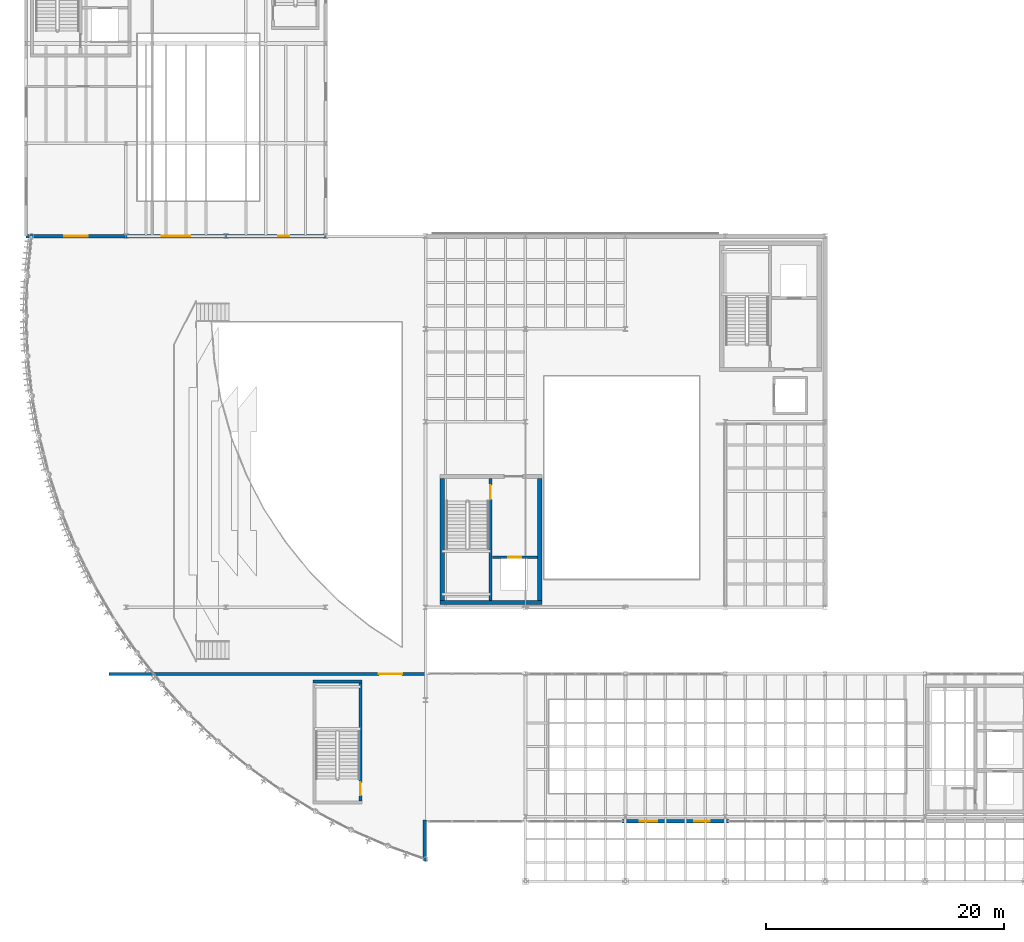
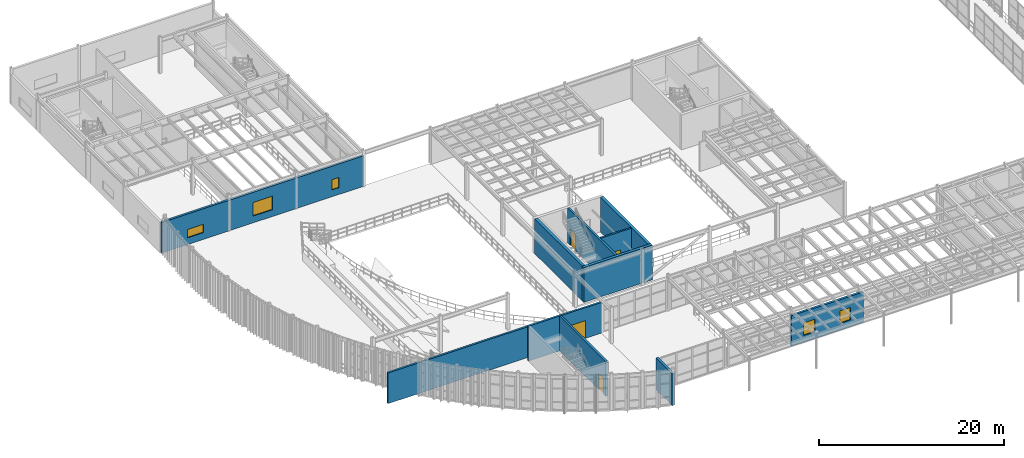
# One storey, part 86 of 105: 11 walls, 5 windows, 4 doors, 9 openings.
"""IFC4 building model written with IfcOpenShell, lengths in metres."""

from ifc_helpers import new_model, si_unit, direction, frame, frame_2d, origin, place, context, subcontext, project, spatial, rectangle, extrude, material, layer, layer_set, type_object, element, fill, save


model = new_model("IFC4")

# Units and contexts
model_context = context("Model", 3, precision=1e-05, world=origin(), true_north=direction((0.0, 1.0)))
body_context = subcontext(model_context, "Body", "Model", "MODEL_VIEW")
ifc_project = project(units=[si_unit("LENGTHUNIT", "METRE"), si_unit("AREAUNIT", "SQUARE_METRE"), si_unit("VOLUMEUNIT", "CUBIC_METRE"), si_unit("PLANEANGLEUNIT", "RADIAN"), si_unit("MASSUNIT", "GRAM", prefix="KILO")], contexts=[model_context])

# Site, building, storey
site_placement = place(None, origin())
site = spatial("IfcSite", under=ifc_project, at=site_placement, CompositionType="ELEMENT")
building_placement = place(site_placement, origin())
building = spatial("IfcBuilding", under=site, at=building_placement, Name="Selat Folded Stagehouse", CompositionType="ELEMENT")
storey_placement = place(building_placement, frame((0.0, 0.0, 10.199951171875)))
storey = spatial("IfcBuildingStorey", under=building, at=storey_placement, Name="L02", CompositionType="ELEMENT", Elevation=10.199951171875)

# Wall, opening, door
ifc_material_1 = material(Name="Double-stud acoustic gypsum and mineral wool", Category="gypsum")
ifc_layer_1 = layer(ifc_material_1, 0.239990234375)
ifc_layer_set_1 = layer_set([ifc_layer_1], Name="Double-stud acoustic gypsum and mineral wool")
wall_type_1 = type_object("IfcWallType", Name="WAL-ACOU-240", PredefinedType="PARTITIONING", material=ifc_layer_set_1)
wall_1_placement = place(storey_placement, frame((7.0, 17.800048828125, 0.0), z_axis=(0.0, 0.0, 1.0), x_axis=(1.0, 0.0, 0.0)))
wall_1 = element("IfcWall", 1, at=wall_1_placement, inside=storey, type_object=wall_type_1, Name="L02 interior partition wall 067", PredefinedType="PARTITIONING", context=body_context, shape_type="SweptSolid", body=[
    extrude(rectangle(XDim=26.60009765625, YDim=0.239990234375, at=frame_2d((13.300048828125, 0.0))), origin(), (0.0, 0.0, 1.0), 4.052734375),
])
opening_1_placement = place(wall_1_placement, frame((22.677978515625, 0.0, 0.0)))
opening_1 = element("IfcOpeningElement", 2, at=opening_1_placement, cuts=wall_1, Name="Opening AD-02", PredefinedType="OPENING", context=body_context, shape_type="SweptSolid", body=[
    extrude(rectangle(XDim=1.949951171875, YDim=2.35009765625, at=frame_2d((0.97509765625, 1.175048828125))), frame((0.0, 0.1298828125, 0.0), z_axis=(0.0, -1.0, 0.0), x_axis=(1.0, 0.0, 0.0)), (0.0, 0.0, 1.0), 0.260009765625),
])
ifc_material_2 = material(Name="Circle auditorium acoustic double door", Category="wood")
door_type_1 = type_object("IfcDoorType", Name="DOR-AUD-1950", OperationType="NOTDEFINED", PredefinedType="DOOR", material=ifc_material_2)
door_1_placement = place(opening_1_placement, origin())
door_1 = element("IfcDoor", 3, at=door_1_placement, inside=storey, type_object=door_type_1, Name="L02 interior door IWAL-L02-067-1", OperationType="SINGLE_SWING_LEFT", OverallHeight=2.35009765625, OverallWidth=1.949951171875, PredefinedType="DOOR", context=body_context, shape_type="SweptSolid", body=[
    extrude(rectangle(XDim=1.949951171875, YDim=2.35009765625, at=frame_2d((0.97509765625, 1.175048828125))), frame((0.0, 0.02490234375, 0.0), z_axis=(0.0, -1.0, 0.0), x_axis=(1.0, 0.0, 0.0)), (0.0, 0.0, 1.0), 0.050048828125),
])
fill(opening_1, door_1)

ifc_material_3 = material(Name="Concrete C40/50", Category="concrete")
ifc_layer_2 = layer(ifc_material_3, 0.215087890625)
ifc_layer_set_2 = layer_set([ifc_layer_2], Name="Concrete C40/50")
wall_type_2 = type_object("IfcWallType", Name="WAL-COMP-215", PredefinedType="STANDARD", material=ifc_layer_set_2)
wall_2_placement = place(storey_placement, frame((39.2099609375, 27.60009765625, 0.0), z_axis=(0.0, 0.0, 1.0), x_axis=(1.0, 0.0, 0.0)))
wall_2 = element("IfcWall", 4, at=wall_2_placement, inside=storey, type_object=wall_type_2, Name="L02 FL-01 lift shaft front wall", PredefinedType="STANDARD", context=body_context, shape_type="SweptSolid", body=[
    extrude(rectangle(XDim=3.794921875, YDim=0.215087890625, at=frame_2d((1.8974609375, 0.0))), origin(), (0.0, 0.0, 1.0), 4.592041015625),
])
opening_2_placement = place(wall_2_placement, frame((1.347412109375, 0.0, 0.0)))
opening_2 = element("IfcOpeningElement", 5, at=opening_2_placement, cuts=wall_2, Name="Opening LD-01", PredefinedType="OPENING", context=body_context, shape_type="SweptSolid", body=[
    extrude(rectangle(XDim=1.10009765625, YDim=2.199951171875, at=frame_2d((0.550048828125, 1.10009765625))), frame((0.0, 0.117431640625, 0.0), z_axis=(0.0, -1.0, 0.0), x_axis=(1.0, 0.0, 0.0)), (0.0, 0.0, 1.0), 0.235107421875),
])
ifc_material_4 = material(Name="Firefighting lift stainless sliding landing door", Category="wood")
door_type_2 = type_object("IfcDoorType", Name="DOR-LFT-1100", OperationType="NOTDEFINED", PredefinedType="DOOR", material=ifc_material_4)
door_2_placement = place(opening_2_placement, origin())
door_2 = element("IfcDoor", 6, at=door_2_placement, inside=storey, type_object=door_type_2, Name="L02 FL-01 lift sliding landing door", OperationType="SLIDING_TO_LEFT", OverallHeight=2.199951171875, OverallWidth=1.10009765625, PredefinedType="DOOR", context=body_context, shape_type="SweptSolid", body=[
    extrude(rectangle(XDim=1.10009765625, YDim=2.199951171875, at=frame_2d((0.550048828125, 1.10009765625))), frame((0.0, 0.02490234375, 0.0), z_axis=(0.0, -1.0, 0.0), x_axis=(1.0, 0.0, 0.0)), (0.0, 0.0, 1.0), 0.050048828125),
])
fill(opening_2, door_2)

# Wall
ifc_material_5 = material(Name="Concrete C50/60", Category="concrete")
ifc_layer_3 = layer(ifc_material_5, 0.25)
ifc_layer_set_3 = layer_set([ifc_layer_3], Name="Concrete C50/60")
wall_type_3 = type_object("IfcWallType", Name="WAL-CORE-250", PredefinedType="SHEAR", material=ifc_layer_set_3)
wall_3_placement = place(storey_placement, frame((24.114990234375, 17.159912109375, 0.0), z_axis=(0.0, 0.0, 1.0), x_axis=(1.0, 0.0, 0.0)))
element("IfcWall", 7, at=wall_3_placement, inside=storey, type_object=wall_type_3, Name="L02 ST-09 north shaft wall", PredefinedType="SHEAR", context=body_context, shape_type="SweptSolid", body=[
    extrude(rectangle(XDim=4.14990234375, YDim=0.25, at=frame_2d((2.074951171875, 0.0))), origin(), (0.0, 0.0, 1.0), 4.60009765625),
])

# Wall, opening, door
wall_4_placement = place(storey_placement, frame((28.139892578125, 17.034912109375, 0.0), z_axis=(0.0, 0.0, 1.0), x_axis=(0.0, -1.0, 0.0)))
wall_4 = element("IfcWall", 8, at=wall_4_placement, inside=storey, type_object=wall_type_3, Name="L02 ST-09 east shaft wall", PredefinedType="SHEAR", context=body_context, shape_type="SweptSolid", body=[
    extrude(rectangle(XDim=9.909912109375, YDim=0.25, at=frame_2d((4.955078125, 0.0))), origin(), (0.0, 0.0, 1.0), 4.60009765625),
])
opening_3_placement = place(wall_4_placement, frame((8.360107421875, 0.0, 0.0)))
opening_3 = element("IfcOpeningElement", 9, at=opening_3_placement, cuts=wall_4, Name="Opening FD-60", PredefinedType="OPENING", context=body_context, shape_type="SweptSolid", body=[
    extrude(rectangle(XDim=1.10009765625, YDim=2.14990234375, at=frame_2d((0.550048828125, 1.074951171875))), frame((0.0, 0.135009765625, 0.0), z_axis=(0.0, -1.0, 0.0), x_axis=(1.0, 0.0, 0.0)), (0.0, 0.0, 1.0), 0.27001953125),
])
ifc_material_6 = material(Name="Fire-rated timber core door", Category="wood")
door_type_3 = type_object("IfcDoorType", Name="DOR-FIRE-60", OperationType="NOTDEFINED", PredefinedType="DOOR", material=ifc_material_6)
door_3_placement = place(opening_3_placement, origin())
door_3 = element("IfcDoor", 10, at=door_3_placement, inside=storey, type_object=door_type_3, Name="L02 ST-09 stair door", OperationType="SINGLE_SWING_LEFT", OverallHeight=2.14990234375, OverallWidth=1.10009765625, PredefinedType="DOOR", context=body_context, shape_type="SweptSolid", body=[
    extrude(rectangle(XDim=1.10009765625, YDim=2.14990234375, at=frame_2d((0.550048828125, 1.074951171875))), frame((0.0, 0.02490234375, 0.0), z_axis=(0.0, -1.0, 0.0), x_axis=(1.0, 0.0, 0.0)), (0.0, 0.0, 1.0), 0.050048828125),
])
fill(opening_3, door_3)

wall_5_placement = place(storey_placement, frame((39.050048828125, 34.22509765625, 0.0), z_axis=(0.0, 0.0, 1.0), x_axis=(0.0, -1.0, 0.0)))
wall_5 = element("IfcWall", 11, at=wall_5_placement, inside=storey, type_object=wall_type_3, Name="L02 CR-1 internal core divider wall", PredefinedType="SHEAR", context=body_context, shape_type="SweptSolid", body=[
    extrude(rectangle(XDim=10.25, YDim=0.25, at=frame_2d((5.125, 0.0))), origin(), (0.0, 0.0, 1.0), 4.60009765625),
])
opening_4_placement = place(wall_5_placement, frame((0.550048828125, 0.0, 0.0)))
opening_4 = element("IfcOpeningElement", 12, at=opening_4_placement, cuts=wall_5, Name="Opening FD-120", PredefinedType="OPENING", context=body_context, shape_type="SweptSolid", body=[
    extrude(rectangle(XDim=1.199951171875, YDim=2.14990234375, at=frame_2d((0.60009765625, 1.074951171875))), frame((0.0, 0.135009765625, 0.0), z_axis=(0.0, -1.0, 0.0), x_axis=(1.0, 0.0, 0.0)), (0.0, 0.0, 1.0), 0.27001953125),
])
ifc_material_7 = material(Name="Fire-rated steel acoustic door", Category="steel")
door_type_4 = type_object("IfcDoorType", Name="DOR-FIRE-120", OperationType="NOTDEFINED", PredefinedType="DOOR", material=ifc_material_7)
door_4_placement = place(opening_4_placement, origin())
door_4 = element("IfcDoor", 13, at=door_4_placement, inside=storey, type_object=door_type_4, Name="L02 CR-1 protected stair fire door", OperationType="SINGLE_SWING_LEFT", OverallHeight=2.14990234375, OverallWidth=1.199951171875, PredefinedType="DOOR", context=body_context, shape_type="SweptSolid", body=[
    extrude(rectangle(XDim=1.199951171875, YDim=2.14990234375, at=frame_2d((0.60009765625, 1.074951171875))), frame((0.0, 0.02490234375, 0.0), z_axis=(0.0, -1.0, 0.0), x_axis=(1.0, 0.0, 0.0)), (0.0, 0.0, 1.0), 0.050048828125),
])
fill(opening_4, door_4)

# Wall, openings, windows
ifc_material_8 = material(Name="Precast concrete C40/50", Category="concrete")
ifc_layer_4 = layer(ifc_material_8, 0.27490234375)
ifc_layer_set_4 = layer_set([ifc_layer_4], Name="Precast concrete C40/50")
wall_type_4 = type_object("IfcWallType", Name="WAL-EXT-275", PredefinedType="STANDARD", material=ifc_layer_set_4)
wall_6_placement = place(storey_placement, frame((59.10009765625, 5.39990234375, 0.0), z_axis=(0.0, 0.0, 1.0), x_axis=(-1.0, 0.0, 0.0)))
wall_6 = element("IfcWall", 14, at=wall_6_placement, inside=storey, type_object=wall_type_4, Name="L02 exterior facade wall EW-L02-FYR-S1", PredefinedType="STANDARD", context=body_context, shape_type="SweptSolid", body=[
    extrude(rectangle(XDim=9.0, YDim=0.27490234375, at=frame_2d((4.5, 0.0))), origin(), (0.0, 0.0, 1.0), 4.027587890625),
])
opening_5_placement = place(wall_6_placement, frame((1.60009765625, 0.0, 0.89990234375)))
opening_5 = element("IfcOpeningElement", 15, at=opening_5_placement, cuts=wall_6, Name="Opening WN-38", PredefinedType="OPENING", context=body_context, shape_type="SweptSolid", body=[
    extrude(rectangle(XDim=1.300048828125, YDim=1.64990234375, at=frame_2d((0.64990234375, 0.824951171875))), frame((0.0, 0.1474609375, 0.0), z_axis=(0.0, -1.0, 0.0), x_axis=(1.0, 0.0, 0.0)), (0.0, 0.0, 1.0), 0.294921875),
])
opening_6_placement = place(wall_6_placement, frame((6.02490234375, 0.0, 0.89990234375)))
opening_6 = element("IfcOpeningElement", 16, at=opening_6_placement, cuts=wall_6, Name="Opening WN-37", PredefinedType="OPENING", context=body_context, shape_type="SweptSolid", body=[
    extrude(rectangle(XDim=1.449951171875, YDim=1.64990234375, at=frame_2d((0.72509765625, 0.824951171875))), frame((0.0, 0.1474609375, 0.0), z_axis=(0.0, -1.0, 0.0), x_axis=(1.0, 0.0, 0.0)), (0.0, 0.0, 1.0), 0.294921875),
])
ifc_material_9 = material(Name="Thermally broken aluminium and acoustic low-E glass", Category="aluminium")
window_type_1 = type_object("IfcWindowType", Name="WIN-OF-1300x1650", PartitioningType="SINGLE_PANEL", PredefinedType="WINDOW", material=ifc_material_9)
window_1_placement = place(opening_5_placement, origin())
window_1 = element("IfcWindow", 17, at=window_1_placement, inside=storey, type_object=window_type_1, Name="L02 exterior window EW-L02-FYR-S1-1", OverallHeight=1.64990234375, OverallWidth=1.300048828125, PartitioningType="SINGLE_PANEL", PredefinedType="WINDOW", context=body_context, shape_type="SweptSolid", body=[
    extrude(rectangle(XDim=1.300048828125, YDim=1.64990234375, at=frame_2d((0.64990234375, 0.824951171875))), frame((0.0, 0.030029296875, 0.0), z_axis=(0.0, -1.0, 0.0), x_axis=(1.0, 0.0, 0.0)), (0.0, 0.0, 1.0), 0.06005859375),
])
fill(opening_5, window_1)
window_type_2 = type_object("IfcWindowType", Name="WIN-OF-1450x1650", PartitioningType="SINGLE_PANEL", PredefinedType="WINDOW", material=ifc_material_9)
window_2_placement = place(opening_6_placement, origin())
window_2 = element("IfcWindow", 18, at=window_2_placement, inside=storey, type_object=window_type_2, Name="L02 exterior window EW-L02-FYR-S1-2", OverallHeight=1.64990234375, OverallWidth=1.449951171875, PartitioningType="SINGLE_PANEL", PredefinedType="WINDOW", context=body_context, shape_type="SweptSolid", body=[
    extrude(rectangle(XDim=1.449951171875, YDim=1.64990234375, at=frame_2d((0.72509765625, 0.824951171875))), frame((0.0, 0.030029296875, 0.0), z_axis=(0.0, -1.0, 0.0), x_axis=(1.0, 0.0, 0.0)), (0.0, 0.0, 1.0), 0.06005859375),
])
fill(opening_6, window_2)

# Wall
wall_7_placement = place(storey_placement, frame((33.52001953125, 2.050048828125, 0.0), z_axis=(0.0, 0.0, 1.0), x_axis=(0.0, 1.0, 0.0)))
element("IfcWall", 19, at=wall_7_placement, inside=storey, type_object=wall_type_4, Name="L02 exterior facade wall EW-L02-V1E-S", PredefinedType="STANDARD", context=body_context, shape_type="SweptSolid", body=[
    extrude(rectangle(XDim=3.449951171875, YDim=0.27490234375, at=frame_2d((1.72509765625, 0.0))), origin(), (0.0, 0.0, 1.0), 4.192138671875),
])

# Wall, openings, windows
wall_8_placement = place(storey_placement, frame((25.199951171875, 54.60009765625, 0.0), z_axis=(0.0, 0.0, 1.0), x_axis=(-1.0, 0.0, 0.0)))
wall_8 = element("IfcWall", 20, at=wall_8_placement, inside=storey, type_object=wall_type_4, Name="L02 exterior facade wall EW-L02-V4S", PredefinedType="STANDARD", context=body_context, shape_type="SweptSolid", body=[
    extrude(rectangle(XDim=25.199951171875, YDim=0.27490234375, at=frame_2d((12.60009765625, 0.0))), origin(), (0.0, 0.0, 1.0), 4.032470703125),
])
opening_7_placement = place(wall_8_placement, frame((3.074951171875, 0.0, 0.89990234375)))
opening_7 = element("IfcOpeningElement", 21, at=opening_7_placement, cuts=wall_8, Name="Opening WN-44", PredefinedType="OPENING", context=body_context, shape_type="SweptSolid", body=[
    extrude(rectangle(XDim=0.89990234375, YDim=1.35009765625, at=frame_2d((0.449951171875, 0.675048828125))), frame((0.0, 0.1474609375, 0.0), z_axis=(0.0, -1.0, 0.0), x_axis=(1.0, 0.0, 0.0)), (0.0, 0.0, 1.0), 0.294921875),
])
opening_8_placement = place(wall_8_placement, frame((11.39990234375, 0.0, 0.89990234375)))
opening_8 = element("IfcOpeningElement", 22, at=opening_8_placement, cuts=wall_8, Name="Opening WN-01", PredefinedType="OPENING", context=body_context, shape_type="SweptSolid", body=[
    extrude(rectangle(XDim=2.39990234375, YDim=1.800048828125, at=frame_2d((1.199951171875, 0.89990234375))), frame((0.0, 0.1474609375, 0.0), z_axis=(0.0, -1.0, 0.0), x_axis=(1.0, 0.0, 0.0)), (0.0, 0.0, 1.0), 0.294921875),
])
opening_9_placement = place(wall_8_placement, frame((20.0, 0.0, 0.89990234375)))
opening_9 = element("IfcOpeningElement", 23, at=opening_9_placement, cuts=wall_8, Name="Opening WN-14", PredefinedType="OPENING", context=body_context, shape_type="SweptSolid", body=[
    extrude(rectangle(XDim=2.0, YDim=1.10009765625, at=frame_2d((1.0, 0.550048828125))), frame((0.0, 0.1474609375, 0.0), z_axis=(0.0, -1.0, 0.0), x_axis=(1.0, 0.0, 0.0)), (0.0, 0.0, 1.0), 0.294921875),
])
window_type_3 = type_object("IfcWindowType", Name="WIN-CL-2000x1100", PartitioningType="SINGLE_PANEL", PredefinedType="WINDOW", material=ifc_material_9)
window_3_placement = place(opening_9_placement, origin())
window_3 = element("IfcWindow", 24, at=window_3_placement, inside=storey, type_object=window_type_3, Name="L02 exterior window EW-L02-V4S-3", OverallHeight=1.10009765625, OverallWidth=2.0, PartitioningType="SINGLE_PANEL", PredefinedType="WINDOW", context=body_context, shape_type="SweptSolid", body=[
    extrude(rectangle(XDim=2.0, YDim=1.10009765625, at=frame_2d((1.0, 0.550048828125))), frame((0.0, 0.030029296875, 0.0), z_axis=(0.0, -1.0, 0.0), x_axis=(1.0, 0.0, 0.0)), (0.0, 0.0, 1.0), 0.06005859375),
])
fill(opening_9, window_3)
window_type_4 = type_object("IfcWindowType", Name="WIN-ST-0900x1350", PartitioningType="SINGLE_PANEL", PredefinedType="WINDOW", material=ifc_material_9)
window_4_placement = place(opening_7_placement, origin())
window_4 = element("IfcWindow", 25, at=window_4_placement, inside=storey, type_object=window_type_4, Name="L02 exterior window EW-L02-V4S-1", OverallHeight=1.35009765625, OverallWidth=0.89990234375, PartitioningType="SINGLE_PANEL", PredefinedType="WINDOW", context=body_context, shape_type="SweptSolid", body=[
    extrude(rectangle(XDim=0.89990234375, YDim=1.35009765625, at=frame_2d((0.449951171875, 0.675048828125))), frame((0.0, 0.030029296875, 0.0), z_axis=(0.0, -1.0, 0.0), x_axis=(1.0, 0.0, 0.0)), (0.0, 0.0, 1.0), 0.06005859375),
])
fill(opening_7, window_4)
window_type_5 = type_object("IfcWindowType", Name="WIN-WK-2400x1800", PartitioningType="SINGLE_PANEL", PredefinedType="WINDOW", material=ifc_material_9)
window_5_placement = place(opening_8_placement, origin())
window_5 = element("IfcWindow", 26, at=window_5_placement, inside=storey, type_object=window_type_5, Name="L02 exterior window EW-L02-V4S-2", OverallHeight=1.800048828125, OverallWidth=2.39990234375, PartitioningType="SINGLE_PANEL", PredefinedType="WINDOW", context=body_context, shape_type="SweptSolid", body=[
    extrude(rectangle(XDim=2.39990234375, YDim=1.800048828125, at=frame_2d((1.199951171875, 0.89990234375))), frame((0.0, 0.030029296875, 0.0), z_axis=(0.0, -1.0, 0.0), x_axis=(1.0, 0.0, 0.0)), (0.0, 0.0, 1.0), 0.06005859375),
])
fill(opening_8, window_5)

# Walls
ifc_layer_5 = layer(ifc_material_5, 0.35009765625)
ifc_layer_set_5 = layer_set([ifc_layer_5], Name="Concrete C50/60")
wall_type_5 = type_object("IfcWallType", Name="WAL-SW-350", PredefinedType="SHEAR", material=ifc_layer_set_5)
wall_9_placement = place(storey_placement, frame((43.375, 23.800048828125, 0.0), z_axis=(0.0, 0.0, 1.0), x_axis=(-1.0, 0.0, 0.0)))
element("IfcWall", 27, at=wall_9_placement, inside=storey, type_object=wall_type_5, Name="L02 CR-1 south shear wall", PredefinedType="SHEAR", context=body_context, shape_type="SweptSolid", body=[
    extrude(rectangle(XDim=8.550048828125, YDim=0.35009765625, at=frame_2d((4.27490234375, 0.0))), origin(), (0.0, 0.0, 1.0), 4.60009765625),
])
for number, where, z_axis, x_axis, name in (
    (28, (35.0, 23.97509765625, 0.0), (0.0, 0.0, 1.0), (0.0, 1.0, 0.0), "L02 CR-1 west shear wall"),
    (29, (43.199951171875, 34.22509765625, 0.0), (0.0, 0.0, 1.0), (0.0, -1.0, 0.0), "L02 CR-1 east shear wall"),
):
    element("IfcWall", number, at=place(storey_placement, frame(where, z_axis=z_axis, x_axis=x_axis)), inside=storey, type_object=wall_type_5, Name=name, PredefinedType="SHEAR", context=body_context, shape_type="SweptSolid", body=[
        extrude(rectangle(XDim=10.25, YDim=0.35009765625, at=frame_2d((5.125, 0.0))), origin(), (0.0, 0.0, 1.0), 4.60009765625),
    ])

save(model, "model.ifc")
